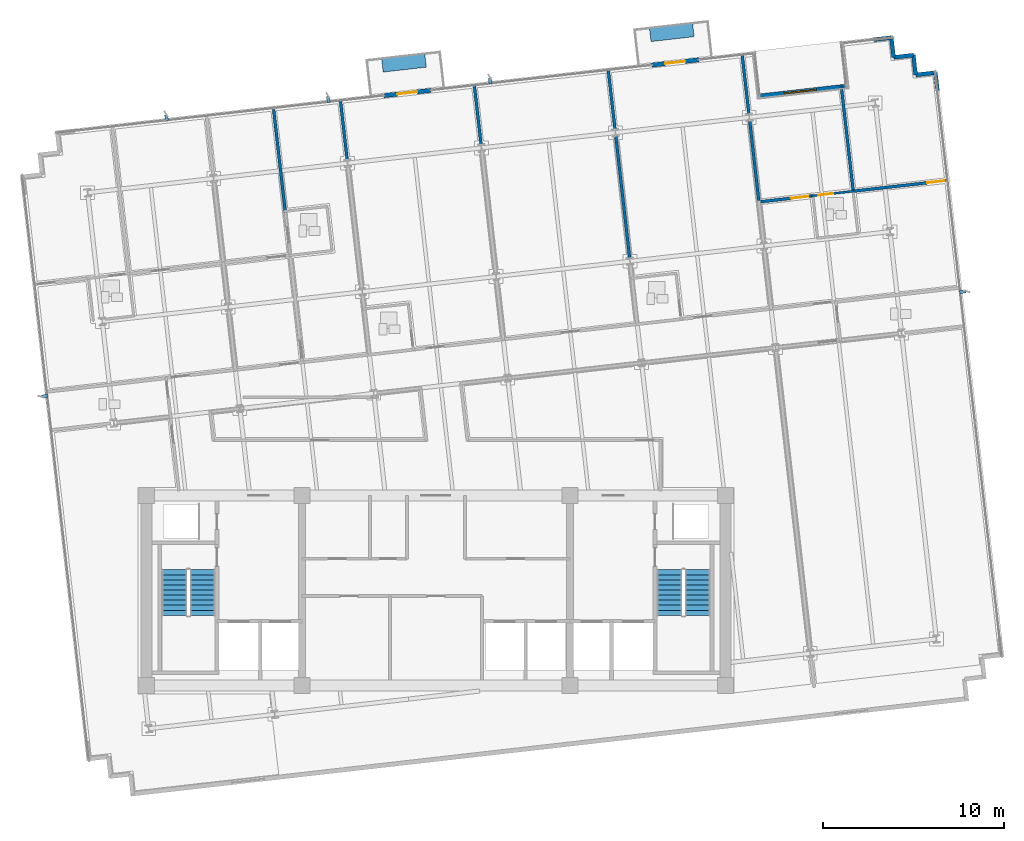
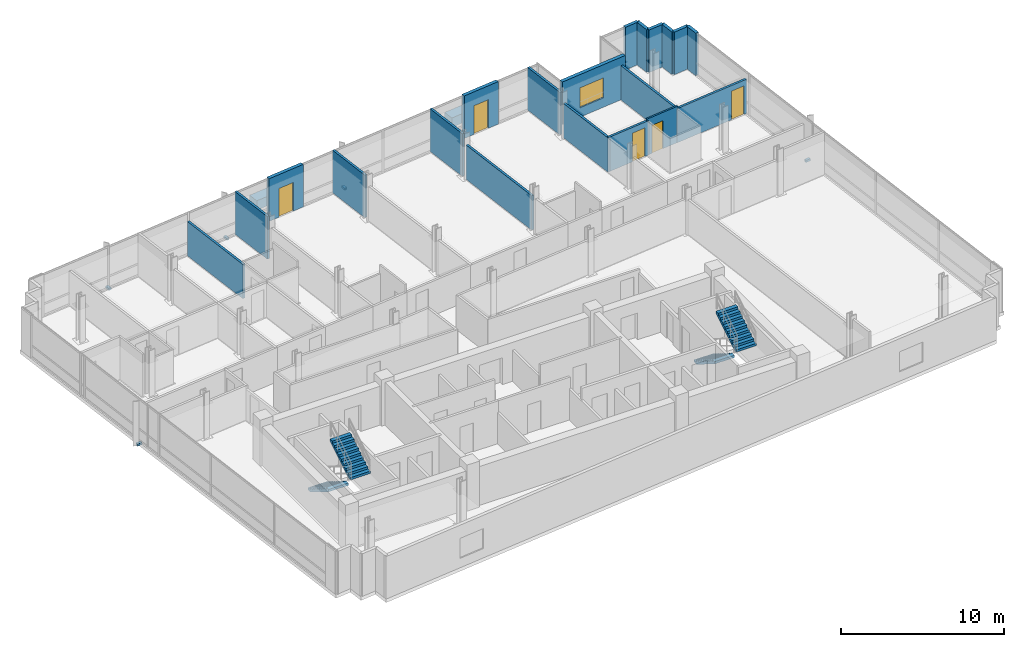
# One storey, part 12 of 16: 20 walls, 7 discrete accessories, 5 doors, 4 stair flights, 1 window, 6 openings, 2 elements without a shape of their own.
"""IFC4 building model written with IfcOpenShell, lengths in metres."""

from ifc_helpers import new_model, si_unit, direction, frame, frame_2d, origin, origin_2d, place, context, subcontext, project, spatial, polyline, rectangle, outline, extrude, material, layer, layer_set, type_object, element, fill, aggregate, save


model = new_model("IFC4")

# Units and contexts
model_context = context("Model", 3, precision=1e-05, world=origin(), true_north=direction((0.0, 1.0)))
body_context = subcontext(model_context, "Body", "Model", "MODEL_VIEW")
ifc_project = project(units=[si_unit("LENGTHUNIT", "METRE"), si_unit("AREAUNIT", "SQUARE_METRE"), si_unit("VOLUMEUNIT", "CUBIC_METRE"), si_unit("PLANEANGLEUNIT", "RADIAN"), si_unit("MASSUNIT", "GRAM", prefix="KILO")], contexts=[model_context])

# Site, building, storey
site_placement = place(None, origin())
site = spatial("IfcSite", under=ifc_project, at=site_placement, CompositionType="ELEMENT")
building_placement = place(site_placement, origin())
building = spatial("IfcBuilding", under=site, at=building_placement, Name="Solmavex Isthmus Hotel", CompositionType="ELEMENT")
storey_placement = place(building_placement, frame((0.0, 0.0, 222.75)))
storey = spatial("IfcBuildingStorey", under=building, at=storey_placement, Name="L60", CompositionType="ELEMENT", Elevation=222.75)

# Wall, opening, window
ifc_material_1 = material(Name="Precast Concrete C40/50", Category="concrete")
ifc_layer_1 = layer(ifc_material_1, 0.25)
ifc_layer_set_1 = layer_set([ifc_layer_1], Name="Precast Concrete C40/50")
wall_type_1 = type_object("IfcWallType", Name="EW-TWR-250", PredefinedType="STANDARD", material=ifc_layer_set_1)
wall_1_placement = place(storey_placement, frame((17.888427734375, 19.563232421875, 0.0), z_axis=(0.0, 0.0, 1.0), x_axis=(0.993576043135, 0.113166454875, 0.0)))
wall_1 = element("IfcWall", 1, at=wall_1_placement, inside=storey, type_object=wall_type_1, Name="Sky Garden Back Facade Wall L60", PredefinedType="STANDARD", context=body_context, shape_type="SweptSolid", body=[
    extrude(rectangle(XDim=4.800048828125, YDim=0.25, at=frame_2d((2.39990234375, 0.0))), origin(), (0.0, 0.0, 1.0), 3.18994140625),
])
opening_1_placement = place(wall_1_placement, frame((1.35009765625, 0.0, 0.699951171875)))
opening_1 = element("IfcOpeningElement", 2, at=opening_1_placement, cuts=wall_1, Name="Opening WN-02", PredefinedType="OPENING", context=body_context, shape_type="SweptSolid", body=[
    extrude(rectangle(XDim=1.800048828125, YDim=1.5, at=frame_2d((0.89990234375, 0.75))), frame((0.0, 0.135009765625, 0.0), z_axis=(0.0, -1.0, 0.0), x_axis=(1.0, 0.0, 0.0)), (0.0, 0.0, 1.0), 0.27001953125),
])
ifc_material_2 = material(Name="Clear low-E laminated glass", Category="glass")
window_type = type_object("IfcWindowType", Name="WIN-TWR-1800", PartitioningType="SINGLE_PANEL", PredefinedType="WINDOW", material=ifc_material_2)
window_placement = place(opening_1_placement, origin())
window = element("IfcWindow", 3, at=window_placement, inside=storey, type_object=window_type, Name="Sky Garden Overlook Window L60", OverallHeight=1.5, OverallWidth=1.800048828125, PartitioningType="SINGLE_PANEL", PredefinedType="WINDOW", context=body_context, shape_type="SweptSolid", body=[
    extrude(rectangle(XDim=1.800048828125, YDim=1.5, at=frame_2d((0.89990234375, 0.75))), frame((0.0, 0.030029296875, 0.0), z_axis=(0.0, -1.0, 0.0), x_axis=(1.0, 0.0, 0.0)), (0.0, 0.0, 1.0), 0.06005859375),
])
fill(opening_1, window)

# Wall, opening, door
wall_2_placement = place(storey_placement, frame((-2.871337890625, 19.59326171875, 0.0), z_axis=(0.0, 0.0, 1.0), x_axis=(0.993577691497, 0.113151981689, 0.0)))
wall_2 = element("IfcWall", 4, at=wall_2_placement, inside=storey, type_object=wall_type_1, Name="Exterior Balcony Door Wall L60-2", PredefinedType="STANDARD", context=body_context, shape_type="SweptSolid", body=[
    extrude(rectangle(XDim=2.599853515625, YDim=0.239990234375, at=frame_2d((1.2998046875, 0.0))), origin(), (0.0, 0.0, 1.0), 3.18994140625),
])
opening_2_placement = place(wall_2_placement, frame((0.75, 0.0, 0.0)))
opening_2 = element("IfcOpeningElement", 5, at=opening_2_placement, cuts=wall_2, Name="Opening ED-02", PredefinedType="OPENING", context=body_context, shape_type="SweptSolid", body=[
    extrude(rectangle(XDim=1.10009765625, YDim=2.14990234375, at=frame_2d((0.550048828125, 1.074951171875))), frame((0.0, 0.1298828125, 0.0), z_axis=(0.0, -1.0, 0.0), x_axis=(1.0, 0.0, 0.0)), (0.0, 0.0, 1.0), 0.260009765625),
])
ifc_material_3 = material(Name="Aluminium alloy 6063-T6", Category="aluminium")
door_type_1 = type_object("IfcDoorType", Name="EDR-BALC-1100", OperationType="NOTDEFINED", PredefinedType="DOOR", material=ifc_material_3)
door_1_placement = place(opening_2_placement, origin())
door_1 = element("IfcDoor", 6, at=door_1_placement, inside=storey, type_object=door_type_1, Name="Balcony & Terrace Glazed Door L60-2", OperationType="SINGLE_SWING_RIGHT", OverallHeight=2.14990234375, OverallWidth=1.10009765625, PredefinedType="DOOR", context=body_context, shape_type="SweptSolid", body=[
    extrude(rectangle(XDim=1.10009765625, YDim=2.14990234375, at=frame_2d((0.550048828125, 1.074951171875))), frame((0.0, 0.02490234375, 0.0), z_axis=(0.0, -1.0, 0.0), x_axis=(1.0, 0.0, 0.0)), (0.0, 0.0, 1.0), 0.050048828125),
])
fill(opening_2, door_1)

wall_3_placement = place(storey_placement, frame((11.9248046875, 21.279052734375, 0.0), z_axis=(0.0, 0.0, 1.0), x_axis=(0.993567130319, 0.113244680008, 0.0)))
wall_3 = element("IfcWall", 7, at=wall_3_placement, inside=storey, type_object=wall_type_1, Name="Exterior Balcony Door Wall L60-3", PredefinedType="STANDARD", context=body_context, shape_type="SweptSolid", body=[
    extrude(rectangle(XDim=2.60009765625, YDim=0.239990234375, at=frame_2d((1.300048828125, 0.0))), origin(), (0.0, 0.0, 1.0), 3.18994140625),
])
opening_3_placement = place(wall_3_placement, frame((0.75, 0.0, 0.0)))
opening_3 = element("IfcOpeningElement", 8, at=opening_3_placement, cuts=wall_3, Name="Opening ED-02", PredefinedType="OPENING", context=body_context, shape_type="SweptSolid", body=[
    extrude(rectangle(XDim=1.10009765625, YDim=2.14990234375, at=frame_2d((0.550048828125, 1.074951171875))), frame((0.0, 0.1298828125, 0.0), z_axis=(0.0, -1.0, 0.0), x_axis=(1.0, 0.0, 0.0)), (0.0, 0.0, 1.0), 0.260009765625),
])
door_2_placement = place(opening_3_placement, origin())
door_2 = element("IfcDoor", 9, at=door_2_placement, inside=storey, type_object=door_type_1, Name="Balcony & Terrace Glazed Door L60-3", OperationType="SINGLE_SWING_LEFT", OverallHeight=2.14990234375, OverallWidth=1.10009765625, PredefinedType="DOOR", context=body_context, shape_type="SweptSolid", body=[
    extrude(rectangle(XDim=1.10009765625, YDim=2.14990234375, at=frame_2d((0.550048828125, 1.074951171875))), frame((0.0, 0.02490234375, 0.0), z_axis=(0.0, -1.0, 0.0), x_axis=(1.0, 0.0, 0.0)), (0.0, 0.0, 1.0), 0.050048828125),
])
fill(opening_3, door_2)

# Walls
wall_4_placement = place(storey_placement, frame((24.175537109375, 22.684814453125, 0.0), z_axis=(0.0, 0.0, 1.0), x_axis=(0.993573147212, 0.113191877531, 0.0)))
element("IfcWall", 10, at=wall_4_placement, inside=storey, type_object=wall_type_1, Name="Serrated Corner Facade Panel L60-14", PredefinedType="STANDARD", context=body_context, shape_type="SweptSolid", body=[
    extrude(rectangle(XDim=0.989990234375, YDim=0.219970703125, at=frame_2d((0.4951171875, 0.0))), origin(), (0.0, 0.0, 1.0), 3.18994140625),
])
for number, where, z_axis, x_axis, name in (
    (11, (25.1591796875, 22.796875, 0.0), (0.0, 0.0, 1.0), (0.11320852056, -0.99357125103, 0.0), "Serrated Corner Facade Panel L60-15"),
    (12, (25.28369140625, 21.7041015625, 0.0), (0.0, 0.0, 1.0), (0.99357125103, 0.11320852056, 0.0), "Serrated Corner Facade Panel L60-16"),
):
    element("IfcWall", number, at=place(storey_placement, frame(where, z_axis=z_axis, x_axis=x_axis)), inside=storey, type_object=wall_type_1, Name=name, PredefinedType="STANDARD", context=body_context, shape_type="SweptSolid", body=[
        extrude(rectangle(XDim=1.099853515625, YDim=0.219970703125, at=frame_2d((0.5498046875, 0.0))), origin(), (0.0, 0.0, 1.0), 3.18994140625),
    ])
wall_5_placement = place(storey_placement, frame((26.37646484375, 21.82861328125, 0.0), z_axis=(0.0, 0.0, 1.0), x_axis=(0.113402635104, -0.993549114212, 0.0)))
element("IfcWall", 13, at=wall_5_placement, inside=storey, type_object=wall_type_1, Name="Serrated Corner Facade Panel L60-17", PredefinedType="STANDARD", context=body_context, shape_type="SweptSolid", body=[
    extrude(rectangle(XDim=1.10009765625, YDim=0.219970703125, at=frame_2d((0.550048828125, 0.0))), origin(), (0.0, 0.0, 1.0), 3.18994140625),
])
wall_6_placement = place(storey_placement, frame((26.501220703125, 20.735595703125, 0.0), z_axis=(0.0, 0.0, 1.0), x_axis=(0.99357125103, 0.11320852056, 0.0)))
element("IfcWall", 14, at=wall_6_placement, inside=storey, type_object=wall_type_1, Name="Serrated Corner Facade Panel L60-18", PredefinedType="STANDARD", context=body_context, shape_type="SweptSolid", body=[
    extrude(rectangle(XDim=1.099853515625, YDim=0.219970703125, at=frame_2d((0.5498046875, 0.0))), origin(), (0.0, 0.0, 1.0), 3.18994140625),
])
wall_7_placement = place(storey_placement, frame((27.593994140625, 20.860107421875, 0.0), z_axis=(0.0, 0.0, 1.0), x_axis=(0.113191877531, -0.993573147212, 0.0)))
element("IfcWall", 15, at=wall_7_placement, inside=storey, type_object=wall_type_1, Name="Serrated Corner Facade Panel L60-19", PredefinedType="STANDARD", context=body_context, shape_type="SweptSolid", body=[
    extrude(rectangle(XDim=0.989990234375, YDim=0.219970703125, at=frame_2d((0.4951171875, 0.0))), origin(), (0.0, 0.0, 1.0), 3.18994140625),
])
ifc_material_4 = material(Name="Gypsum plasterboard lining", Category="gypsum")
ifc_layer_2 = layer(ifc_material_4, 0.159912109375)
ifc_layer_set_2 = layer_set([ifc_layer_2], Name="Gypsum plasterboard lining")
wall_type_2 = type_object("IfcWallType", Name="IW-COMP-160", PredefinedType="PARTITIONING", material=ifc_layer_set_2)
wall_8_placement = place(storey_placement, frame((-8.96875, 18.81787109375, 0.0), z_axis=(0.0, 0.0, 1.0), x_axis=(0.113174319335, -0.993575147356, 0.0)))
element("IfcWall", 16, at=wall_8_placement, inside=storey, type_object=wall_type_2, Name="Interior Partition Wall W-L60-P040", PredefinedType="PARTITIONING", context=body_context, shape_type="SweptSolid", body=[
    extrude(rectangle(XDim=5.73388671875, YDim=0.159912109375, at=frame_2d((2.866943359375, 0.0))), origin(), (0.0, 0.0, 1.0), 2.5576171875),
])
wall_9_placement = place(storey_placement, frame((-5.283447265625, 19.358642578125, 0.0), z_axis=(0.0, 0.0, 1.0), x_axis=(0.113252098743, -0.993566284719, 0.0)))
element("IfcWall", 17, at=wall_9_placement, inside=storey, type_object=wall_type_2, Name="Interior Partition Wall W-L60-P045", PredefinedType="PARTITIONING", context=body_context, shape_type="SweptSolid", body=[
    extrude(rectangle(XDim=3.343505859375, YDim=0.159912109375, at=frame_2d((1.671875, 0.0))), origin(), (0.0, 0.0, 1.0), 3.18994140625),
])
wall_10_placement = place(storey_placement, frame((2.11474609375, 20.20166015625, 0.0), z_axis=(0.0, 0.0, 1.0), x_axis=(0.113243883011, -0.993567221158, 0.0)))
element("IfcWall", 18, at=wall_10_placement, inside=storey, type_object=wall_type_2, Name="Interior Partition Wall W-L60-P050", PredefinedType="PARTITIONING", context=body_context, shape_type="SweptSolid", body=[
    extrude(rectangle(XDim=3.34375, YDim=0.159912109375, at=frame_2d((1.671875, 0.0))), origin(), (0.0, 0.0, 1.0), 3.18994140625),
])
wall_11_placement = place(storey_placement, frame((9.512939453125, 21.04443359375, 0.0), z_axis=(0.0, 0.0, 1.0), x_axis=(0.113180015629, -0.993574498496, 0.0)))
element("IfcWall", 19, at=wall_11_placement, inside=storey, type_object=wall_type_2, Name="Interior Partition Wall W-L60-P053", PredefinedType="PARTITIONING", context=body_context, shape_type="SweptSolid", body=[
    extrude(rectangle(XDim=3.343505859375, YDim=0.159912109375, at=frame_2d((1.671875, 0.0))), origin(), (0.0, 0.0, 1.0), 3.18994140625),
])
wall_12_placement = place(storey_placement, frame((9.931396484375, 17.371826171875, 0.0), z_axis=(0.0, 0.0, 1.0), x_axis=(0.113217453743, -0.993570233133, 0.0)))
element("IfcWall", 20, at=wall_12_placement, inside=storey, type_object=wall_type_2, Name="Interior Partition Wall W-L60-P054", PredefinedType="PARTITIONING", context=body_context, shape_type="SweptSolid", body=[
    extrude(rectangle(XDim=6.799072265625, YDim=0.159912109375, at=frame_2d((3.3994140625, 0.0))), origin(), (0.0, 0.0, 1.0), 2.572265625),
])
wall_13_placement = place(storey_placement, frame((16.9111328125, 21.887451171875, 0.0), z_axis=(0.0, 0.0, 1.0), x_axis=(0.113171804991, -0.993575433752, 0.0)))
element("IfcWall", 21, at=wall_13_placement, inside=storey, type_object=wall_type_2, Name="Interior Partition Wall W-L60-P060", PredefinedType="PARTITIONING", context=body_context, shape_type="SweptSolid", body=[
    extrude(rectangle(XDim=3.34375, YDim=0.159912109375, at=frame_2d((1.671875, 0.0))), origin(), (0.0, 0.0, 1.0), 3.18994140625),
])
wall_14_placement = place(storey_placement, frame((17.32958984375, 18.21484375, 0.0), z_axis=(0.0, 0.0, 1.0), x_axis=(0.113175987041, -0.993574957392, 0.0)))
element("IfcWall", 22, at=wall_14_placement, inside=storey, type_object=wall_type_2, Name="Interior Partition Wall W-L60-P061", PredefinedType="PARTITIONING", context=body_context, shape_type="SweptSolid", body=[
    extrude(rectangle(XDim=4.607666015625, YDim=0.159912109375, at=frame_2d((2.3037109375, 0.0))), origin(), (0.0, 0.0, 1.0), 2.572265625),
])

# Wall, opening, door
wall_15_placement = place(storey_placement, frame((17.802001953125, 13.713623046875, 0.0), z_axis=(0.0, 0.0, 1.0), x_axis=(0.993571907495, 0.113202758961, 0.0)))
wall_15 = element("IfcWall", 23, at=wall_15_placement, inside=storey, type_object=wall_type_2, Name="Interior Partition Wall W-L60-P062", PredefinedType="PARTITIONING", context=body_context, shape_type="SweptSolid", body=[
    extrude(rectangle(XDim=3.083984375, YDim=0.159912109375, at=frame_2d((1.5419921875, 0.0))), origin(), (0.0, 0.0, 1.0), 2.572265625),
])
opening_4_placement = place(wall_15_placement, frame((1.823974609375, 0.0, 0.0)))
opening_4 = element("IfcOpeningElement", 24, at=opening_4_placement, cuts=wall_15, Name="Opening ID-C095", PredefinedType="OPENING", context=body_context, shape_type="SweptSolid", body=[
    extrude(rectangle(XDim=0.949951171875, YDim=2.14990234375, at=frame_2d((0.47509765625, 1.074951171875))), frame((0.0, 0.08984375, 0.0), z_axis=(0.0, -1.0, 0.0), x_axis=(1.0, 0.0, 0.0)), (0.0, 0.0, 1.0), 0.179931640625),
])
ifc_material_5 = material(Name="Hardwood timber", Category="wood")
door_type_2 = type_object("IfcDoorType", Name="IDR-FD60-0950", OperationType="NOTDEFINED", PredefinedType="DOOR", material=ifc_material_5)
door_3_placement = place(opening_4_placement, origin())
door_3 = element("IfcDoor", 25, at=door_3_placement, inside=storey, type_object=door_type_2, Name="Diplomatic Hospitality Suite Bedroom Door L60-15", OperationType="SINGLE_SWING_LEFT", OverallHeight=2.14990234375, OverallWidth=0.949951171875, PredefinedType="DOOR", context=body_context, shape_type="SweptSolid", body=[
    extrude(rectangle(XDim=0.949951171875, YDim=2.14990234375, at=frame_2d((0.47509765625, 1.074951171875))), frame((0.0, 0.02490234375, 0.0), z_axis=(0.0, -1.0, 0.0), x_axis=(1.0, 0.0, 0.0)), (0.0, 0.0, 1.0), 0.050048828125),
])
fill(opening_4, door_3)

wall_16_placement = place(storey_placement, frame((23.00244140625, 14.30615234375, 0.0), z_axis=(0.0, 0.0, 1.0), x_axis=(0.993568324639, 0.113234200993, 0.0)))
wall_16 = element("IfcWall", 26, at=wall_16_placement, inside=storey, type_object=wall_type_2, Name="Interior Partition Wall W-L60-P063", PredefinedType="PARTITIONING", context=body_context, shape_type="SweptSolid", body=[
    extrude(rectangle(XDim=5.334228515625, YDim=0.159912109375, at=frame_2d((2.6669921875, 0.0))), origin(), (0.0, 0.0, 1.0), 2.5576171875),
])
opening_5_placement = place(wall_16_placement, frame((4.174072265625, 0.0, 0.0)))
opening_5 = element("IfcOpeningElement", 27, at=opening_5_placement, cuts=wall_16, Name="Opening ID-C095", PredefinedType="OPENING", context=body_context, shape_type="SweptSolid", body=[
    extrude(rectangle(XDim=0.949951171875, YDim=2.14990234375, at=frame_2d((0.47509765625, 1.074951171875))), frame((0.0, 0.08984375, 0.0), z_axis=(0.0, -1.0, 0.0), x_axis=(1.0, 0.0, 0.0)), (0.0, 0.0, 1.0), 0.179931640625),
])
door_4_placement = place(opening_5_placement, origin())
door_4 = element("IfcDoor", 28, at=door_4_placement, inside=storey, type_object=door_type_2, Name="Diplomatic Hospitality Suite Sitting Lounge Door L60-16", OperationType="SINGLE_SWING_RIGHT", OverallHeight=2.14990234375, OverallWidth=0.949951171875, PredefinedType="DOOR", context=body_context, shape_type="SweptSolid", body=[
    extrude(rectangle(XDim=0.949951171875, YDim=2.14990234375, at=frame_2d((0.47509765625, 1.074951171875))), frame((0.0, 0.02490234375, 0.0), z_axis=(0.0, -1.0, 0.0), x_axis=(1.0, 0.0, 0.0)), (0.0, 0.0, 1.0), 0.050048828125),
])
fill(opening_5, door_4)

# Wall
wall_17_placement = place(storey_placement, frame((22.390869140625, 20.116455078125, 0.0), z_axis=(0.0, 0.0, 1.0), x_axis=(0.113187209567, -0.993573678994, 0.0)))
element("IfcWall", 29, at=wall_17_placement, inside=storey, type_object=wall_type_2, Name="Interior Partition Wall W-L60-P068", PredefinedType="PARTITIONING", context=body_context, shape_type="SweptSolid", body=[
    extrude(rectangle(XDim=5.882080078125, YDim=0.159912109375, at=frame_2d((2.94091796875, 0.0))), origin(), (0.0, 0.0, 1.0), 2.5576171875),
])

# Wall, opening, door
ifc_layer_3 = layer(ifc_material_4, 0.1201171875)
ifc_layer_set_3 = layer_set([ifc_layer_3], Name="Gypsum plasterboard lining")
wall_type_3 = type_object("IfcWallType", Name="IW-PART-120", PredefinedType="PARTITIONING", material=ifc_layer_set_3)
wall_18_placement = place(storey_placement, frame((23.091796875, 14.31640625, 0.0), z_axis=(0.0, 0.0, 1.0), x_axis=(-0.993569776601, -0.113221460091, 0.0)))
wall_18 = element("IfcWall", 30, at=wall_18_placement, inside=storey, type_object=wall_type_3, Name="Interior Partition Wall W-L60-P069", PredefinedType="PARTITIONING", context=body_context, shape_type="SweptSolid", body=[
    extrude(rectangle(XDim=2.371826171875, YDim=0.1201171875, at=frame_2d((1.18603515625, 0.0))), origin(), (0.0, 0.0, 1.0), 2.718017578125),
])
opening_6_placement = place(wall_18_placement, frame((1.14599609375, 0.0, 0.0)))
opening_6 = element("IfcOpeningElement", 31, at=opening_6_placement, cuts=wall_18, Name="Opening ID-U085", PredefinedType="OPENING", context=body_context, shape_type="SweptSolid", body=[
    extrude(rectangle(XDim=0.85009765625, YDim=2.10009765625, at=frame_2d((0.425048828125, 1.050048828125))), frame((0.0, 0.070068359375, 0.0), z_axis=(0.0, -1.0, 0.0), x_axis=(1.0, 0.0, 0.0)), (0.0, 0.0, 1.0), 0.14013671875),
])
door_type_3 = type_object("IfcDoorType", Name="IDR-UNR-0850", OperationType="NOTDEFINED", PredefinedType="DOOR", material=ifc_material_5)
door_5_placement = place(opening_6_placement, frame((0.85009765625, 0.0, 0.0), z_axis=(0.0, 0.0, 1.0), x_axis=(-1.0, 0.0, 0.0)))
door_5 = element("IfcDoor", 32, at=door_5_placement, inside=storey, type_object=door_type_3, Name="En-suite Bathroom Door L60-17", OperationType="SINGLE_SWING_LEFT", OverallHeight=2.10009765625, OverallWidth=0.85009765625, PredefinedType="DOOR", context=body_context, shape_type="SweptSolid", body=[
    extrude(rectangle(XDim=0.85009765625, YDim=2.10009765625, at=frame_2d((0.425048828125, 1.050048828125))), frame((0.0, 0.02490234375, 0.0), z_axis=(0.0, -1.0, 0.0), x_axis=(1.0, 0.0, 0.0)), (0.0, 0.0, 1.0), 0.050048828125),
])
fill(opening_6, door_5)

# Stair, stair flights
ifc_material_6 = material(Name="Concrete C40/50", Category="concrete")
stair_type_1 = type_object("IfcStairType", Name="STR-ST-1", PredefinedType="HALF_TURN_STAIR", material=ifc_material_6)
stair_1_placement = place(storey_placement, origin())
stair_1 = element("IfcStair", 33, at=stair_1_placement, inside=storey, type_object=stair_type_1, Name="L60 Protected Exit Stair ST-1", PredefinedType="HALF_TURN_STAIR")
stair_flight_type_1 = type_object("IfcStairFlightType", Name="SFL-ST-1", PredefinedType="STRAIGHT", material=ifc_material_6)
stair_flight_1_placement = place(storey_placement, frame((-14.449951171875, -6.60009765625, 0.0), z_axis=(0.0, 0.0, 1.0), x_axis=(0.0, -1.0, 0.0)))
stair_flight_1 = element("IfcStairFlight", 34, at=stair_flight_1_placement, type_object=stair_flight_type_1, Name="ST-1 flight 1", NumberOfRisers=10, NumberOfTreads=9, PredefinedType="STRAIGHT", RiserHeight=0.1725, TreadLength=0.28, context=body_context, shape_type="SweptSolid", body=[
    extrude(outline(polyline([(0.0, 0.0), (0.0, 0.172607421875), (0.280029296875, 0.172607421875), (0.280029296875, 0.344970703125), (0.56005859375, 0.344970703125), (0.56005859375, 0.517578125), (0.840087890625, 0.517578125), (0.840087890625, 0.68994140625), (1.1201171875, 0.68994140625), (1.1201171875, 0.862548828125), (1.39990234375, 0.862548828125), (1.39990234375, 1.034912109375), (1.679931640625, 1.034912109375), (1.679931640625, 1.20751953125), (1.9599609375, 1.20751953125), (1.9599609375, 1.3798828125), (2.239990234375, 1.3798828125), (2.239990234375, 1.552490234375), (2.52001953125, 1.552490234375), (2.52001953125, 1.72509765625), (2.52001953125, 1.37646484375), (0.285888671875, 0.0), (0.0, 0.0)])), frame((0.0, 0.699951171875, 0.0), z_axis=(0.0, -1.0, 0.0), x_axis=(1.0, 0.0, 0.0)), (0.0, 0.0, 1.0), 1.39990234375),
])
stair_flight_2_placement = place(storey_placement, frame((-12.89990234375, -9.1201171875, 1.72509765625), z_axis=(0.0, 0.0, 1.0), x_axis=(0.0, 1.0, 0.0)))
stair_flight_2 = element("IfcStairFlight", 35, at=stair_flight_2_placement, type_object=stair_flight_type_1, Name="ST-1 flight 2", NumberOfRisers=10, NumberOfTreads=9, PredefinedType="STRAIGHT", RiserHeight=0.1725, TreadLength=0.28, context=body_context, shape_type="SweptSolid", body=[
    extrude(outline(polyline([(0.0, 0.0), (0.0, 0.172607421875), (0.280029296875, 0.172607421875), (0.280029296875, 0.344970703125), (0.56005859375, 0.344970703125), (0.56005859375, 0.517578125), (0.840087890625, 0.517578125), (0.840087890625, 0.68994140625), (1.1201171875, 0.68994140625), (1.1201171875, 0.862548828125), (1.39990234375, 0.862548828125), (1.39990234375, 1.034912109375), (1.679931640625, 1.034912109375), (1.679931640625, 1.20751953125), (1.9599609375, 1.20751953125), (1.9599609375, 1.3798828125), (2.239990234375, 1.3798828125), (2.239990234375, 1.552490234375), (2.52001953125, 1.552490234375), (2.52001953125, 1.72509765625), (2.52001953125, 1.37646484375), (0.285888671875, 0.0), (0.0, 0.0)])), frame((0.0, 0.699951171875, 0.0), z_axis=(0.0, -1.0, 0.0), x_axis=(1.0, 0.0, 0.0)), (0.0, 0.0, 1.0), 1.39990234375),
])
aggregate(stair_1, [stair_flight_1, stair_flight_2])

stair_type_2 = type_object("IfcStairType", Name="STR-ST-2", PredefinedType="HALF_TURN_STAIR", material=ifc_material_6)
stair_2_placement = place(storey_placement, origin())
stair_2 = element("IfcStair", 36, at=stair_2_placement, inside=storey, type_object=stair_type_2, Name="L60 Protected Exit Stair ST-2", PredefinedType="HALF_TURN_STAIR")
stair_flight_type_2 = type_object("IfcStairFlightType", Name="SFL-ST-2", PredefinedType="STRAIGHT", material=ifc_material_6)
stair_flight_3_placement = place(storey_placement, frame((12.89990234375, -6.60009765625, 0.0), z_axis=(0.0, 0.0, 1.0), x_axis=(0.0, -1.0, 0.0)))
stair_flight_3 = element("IfcStairFlight", 37, at=stair_flight_3_placement, type_object=stair_flight_type_2, Name="ST-2 flight 1", NumberOfRisers=10, NumberOfTreads=9, PredefinedType="STRAIGHT", RiserHeight=0.1725, TreadLength=0.28, context=body_context, shape_type="SweptSolid", body=[
    extrude(outline(polyline([(0.0, 0.0), (0.0, 0.172607421875), (0.280029296875, 0.172607421875), (0.280029296875, 0.344970703125), (0.56005859375, 0.344970703125), (0.56005859375, 0.517578125), (0.840087890625, 0.517578125), (0.840087890625, 0.68994140625), (1.1201171875, 0.68994140625), (1.1201171875, 0.862548828125), (1.39990234375, 0.862548828125), (1.39990234375, 1.034912109375), (1.679931640625, 1.034912109375), (1.679931640625, 1.20751953125), (1.9599609375, 1.20751953125), (1.9599609375, 1.3798828125), (2.239990234375, 1.3798828125), (2.239990234375, 1.552490234375), (2.52001953125, 1.552490234375), (2.52001953125, 1.72509765625), (2.52001953125, 1.37646484375), (0.285888671875, 0.0), (0.0, 0.0)])), frame((0.0, 0.699951171875, 0.0), z_axis=(0.0, -1.0, 0.0), x_axis=(1.0, 0.0, 0.0)), (0.0, 0.0, 1.0), 1.39990234375),
])
stair_flight_4_placement = place(storey_placement, frame((14.449951171875, -9.1201171875, 1.72509765625), z_axis=(0.0, 0.0, 1.0), x_axis=(0.0, 1.0, 0.0)))
stair_flight_4 = element("IfcStairFlight", 38, at=stair_flight_4_placement, type_object=stair_flight_type_2, Name="ST-2 flight 2", NumberOfRisers=10, NumberOfTreads=9, PredefinedType="STRAIGHT", RiserHeight=0.1725, TreadLength=0.28, context=body_context, shape_type="SweptSolid", body=[
    extrude(outline(polyline([(0.0, 0.0), (0.0, 0.172607421875), (0.280029296875, 0.172607421875), (0.280029296875, 0.344970703125), (0.56005859375, 0.344970703125), (0.56005859375, 0.517578125), (0.840087890625, 0.517578125), (0.840087890625, 0.68994140625), (1.1201171875, 0.68994140625), (1.1201171875, 0.862548828125), (1.39990234375, 0.862548828125), (1.39990234375, 1.034912109375), (1.679931640625, 1.034912109375), (1.679931640625, 1.20751953125), (1.9599609375, 1.20751953125), (1.9599609375, 1.3798828125), (2.239990234375, 1.3798828125), (2.239990234375, 1.552490234375), (2.52001953125, 1.552490234375), (2.52001953125, 1.72509765625), (2.52001953125, 1.37646484375), (0.285888671875, 0.0), (0.0, 0.0)])), frame((0.0, 0.699951171875, 0.0), z_axis=(0.0, -1.0, 0.0), x_axis=(1.0, 0.0, 0.0)), (0.0, 0.0, 1.0), 1.39990234375),
])
aggregate(stair_2, [stair_flight_3, stair_flight_4])

# Discrete accessories
ifc_material_7 = material(Name="Steel ASTM A572 Grade 50", Category="steel")
discrete_accessory_type_1 = type_object("IfcDiscreteAccessoryType", Name="ACC-BRK-FIN", PredefinedType="BRACKET", material=ifc_material_7)
for number, where, z_axis, x_axis, name in (
    (39, (-14.88671875, 18.365234375, -0.169921875), (0.0, 0.0, 1.0), (-0.113203213768, 0.993571855677, 0.0), "Facade Fin Support Bracket L60-N1"),
    (40, (-5.944580078125, 19.384033203125, -0.169921875), (0.0, 0.0, 1.0), (-0.113203213768, 0.993571855677, 0.0), "Facade Fin Support Bracket L60-N2"),
    (41, (2.997802734375, 20.40283203125, -0.169921875), (0.0, 0.0, 1.0), (-0.113203213768, 0.993571855677, 0.0), "Facade Fin Support Bracket L60-N3"),
    (42, (-21.60888671875, 2.9853515625, -0.169921875), (0.0, 0.0, 1.0), (-0.993571855677, -0.113203213768, 0.0), "Facade Fin Support Bracket L60-W1"),
    (43, (29.10302734375, 8.76318359375, -0.169921875), (0.0, 0.0, 1.0), (0.993571855677, 0.113203213768, 0.0), "Facade Fin Support Bracket L60-E1"),
):
    element("IfcDiscreteAccessory", number, at=place(storey_placement, frame(where, z_axis=z_axis, x_axis=x_axis)), inside=storey, type_object=discrete_accessory_type_1, Name=name, PredefinedType="BRACKET", context=body_context, shape_type="SweptSolid", body=[
        extrude(rectangle(XDim=0.340087890625, YDim=0.179931640625, at=origin_2d()), origin(), (0.0, 0.0, 1.0), 0.159912109375),
    ])
discrete_accessory_type_2 = type_object("IfcDiscreteAccessoryType", Name="ACC-PLN-BALC", PredefinedType="USERDEFINED", material=ifc_material_1)
for number, where, z_axis, x_axis, name in (
    (44, (-1.768798828125, 21.399658203125, 0.0), (0.0, 0.0, 1.0), (0.993571855677, 0.113203213768, 0.0), "Tree-Balcony Architectural Planter L60-B1"),
    (45, (13.027587890625, 23.08544921875, 0.0), (0.0, 0.0, 1.0), (0.993571855677, 0.113203213768, 0.0), "Tree-Balcony Architectural Planter L60-B2"),
):
    element("IfcDiscreteAccessory", number, at=place(storey_placement, frame(where, z_axis=z_axis, x_axis=x_axis)), inside=storey, type_object=discrete_accessory_type_2, Name=name, ObjectType="PLANTER", PredefinedType="USERDEFINED", context=body_context, shape_type="SweptSolid", body=[
        extrude(rectangle(XDim=2.39990234375, YDim=0.75, at=origin_2d()), origin(), (0.0, 0.0, 1.0), 0.699951171875),
    ])

save(model, "model.ifc")
